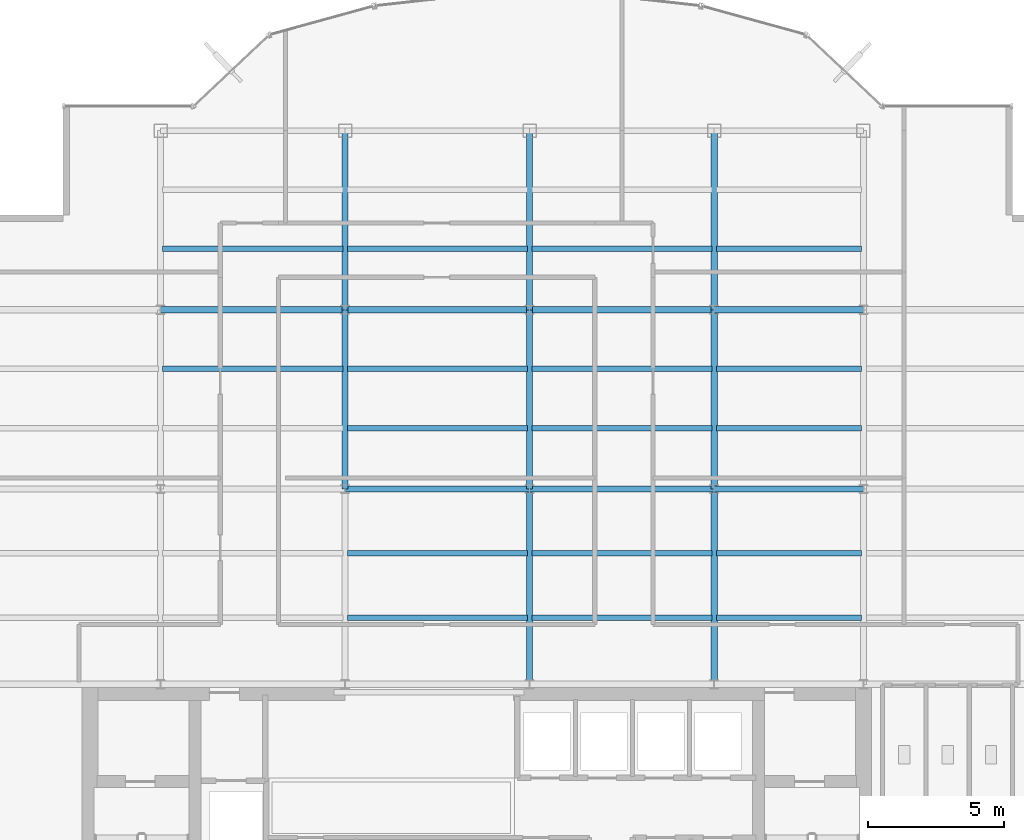
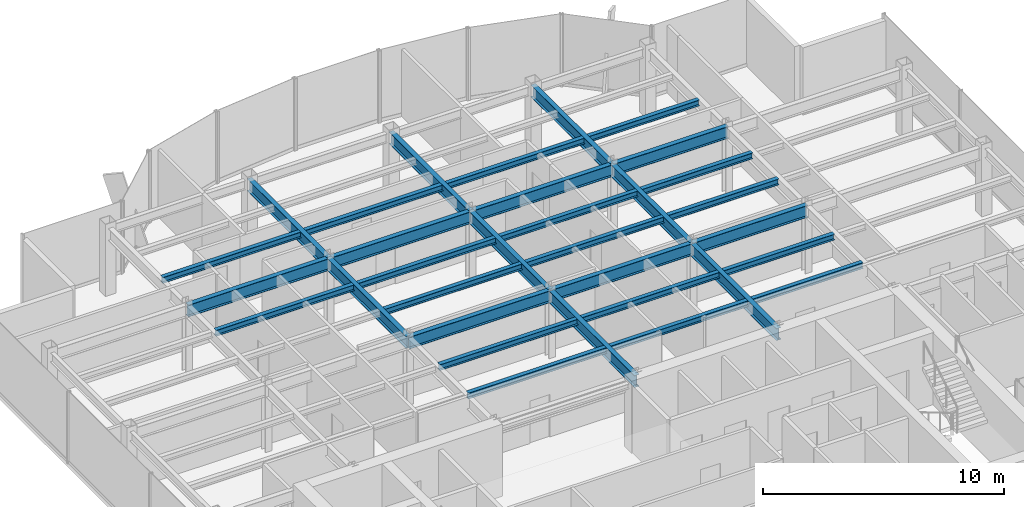
# One storey, part 8 of 22: 32 beams.
"""IFC4 building model written with IfcOpenShell, lengths in metres."""

from ifc_helpers import new_model, si_unit, derived_unit, direction, frame, origin, origin_2d, place, context, subcontext, project, spatial, i_section, extrude, source, transform, mapped, material, material_profile, profile_set, type_object, element, save


model = new_model("IFC4")

# Units and contexts
model_context = context("Model", 3, precision=1e-05, world=origin(), true_north=direction((0.0, 1.0)))
body_context = subcontext(model_context, "Body", "Model", "MODEL_VIEW")
ifc_project = project(units=[si_unit("LENGTHUNIT", "METRE"), si_unit("AREAUNIT", "SQUARE_METRE"), si_unit("VOLUMEUNIT", "CUBIC_METRE"), si_unit("PLANEANGLEUNIT", "RADIAN"), si_unit("MASSUNIT", "GRAM", prefix="KILO"), derived_unit("THERMALTRANSMITTANCEUNIT", [(si_unit("POWERUNIT", "WATT"), 1), (si_unit("LENGTHUNIT", "METRE"), -2), (si_unit("THERMODYNAMICTEMPERATUREUNIT", "KELVIN"), -1)])], contexts=[model_context])

# Site, building, storey
site_placement = place(None, origin())
site = spatial("IfcSite", under=ifc_project, at=site_placement, CompositionType="ELEMENT")
building_placement = place(site_placement, origin())
building = spatial("IfcBuilding", under=site, at=building_placement, Name="Skarnbrae Concourse Arena and Tower", CompositionType="ELEMENT")
storey_placement = place(building_placement, frame((0.0, 0.0, 255.14990234375)))
storey = spatial("IfcBuildingStorey", under=building, at=storey_placement, Name="L66", CompositionType="ELEMENT", Elevation=255.14990234375)

# Beams
ifc_material = material(Name="Steel CSA G40.21 350W", Category="steel")
ifc_material_profile_1 = material_profile(ifc_material, i_section(OverallWidth=0.22802734375, OverallDepth=0.60791015625, WebThickness=0.01123046875, FlangeThickness=0.017333984375, at=origin_2d()), Name="W610X113")
ifc_profile_set_1 = profile_set([ifc_material_profile_1], Name="Steel CSA G40.21 350W")
beam_type_1 = type_object("IfcBeamType", Name="BM-GIRD-W610X113", PredefinedType="BEAM", material=ifc_profile_set_1)
shared_shape_1 = source(origin(), body_context, "Body", "SweptSolid", [
    extrude(i_section(OverallWidth=0.22802734375, OverallDepth=0.60791015625, WebThickness=0.01123046875, FlangeThickness=0.017333984375, at=origin_2d()), origin(), (0.0, 0.0, 1.0), 6.60009765625),
])
for number, where, z_axis, x_axis, name in (
    (1, (14.39990234375, 21.199951171875, 3.09619140625), (0.0, 1.0, 0.0), (-1.0, 0.0, 0.0), "L66 Primary N-S girder X14.4-2"),
    (2, (21.199951171875, 21.199951171875, 3.09619140625), (0.0, 1.0, 0.0), (-1.0, 0.0, 0.0), "L66 Primary N-S girder X21.2-2"),
    (3, (28.0, 21.199951171875, 3.09619140625), (0.0, 1.0, 0.0), (-1.0, 0.0, 0.0), "L66 Primary N-S girder X28.0-2"),
):
    element("IfcBeam", number, at=place(storey_placement, frame(where, z_axis=z_axis, x_axis=x_axis)), inside=storey, type_object=beam_type_1, Name=name, PredefinedType="BEAM", context=body_context, shape_type="MappedRepresentation", body=[
        mapped(shared_shape_1, transform((0.0, 0.0, 0.0))),
    ])
shared_shape_2 = source(origin(), body_context, "Body", "SweptSolid", [
    extrude(i_section(OverallWidth=0.22802734375, OverallDepth=0.60791015625, WebThickness=0.01123046875, FlangeThickness=0.017333984375, at=origin_2d()), origin(), (0.0, 0.0, 1.0), 6.7998046875),
])
beam_placement = place(storey_placement, frame((7.60009765625, 27.800048828125, 3.09619140625), z_axis=(1.0, 0.0, 0.0), x_axis=(0.0, 1.0, 0.0)))
element("IfcBeam", 4, at=beam_placement, inside=storey, type_object=beam_type_1, Name="L66 Primary E-W girder Y27.8-2", PredefinedType="BEAM", context=body_context, shape_type="MappedRepresentation", body=[
    mapped(shared_shape_2, transform((0.0, 0.0, 0.0))),
])
shared_shape_3 = source(origin(), body_context, "Body", "SweptSolid", [
    extrude(i_section(OverallWidth=0.22802734375, OverallDepth=0.60791015625, WebThickness=0.01123046875, FlangeThickness=0.017333984375, at=origin_2d()), origin(), (0.0, 0.0, 1.0), 6.800048828125),
])
for number, where, z_axis, x_axis, name in (
    (5, (14.39990234375, 21.199951171875, 3.09619140625), (1.0, 0.0, 0.0), (0.0, 1.0, 0.0), "L66 Primary E-W girder Y21.2-3"),
    (6, (21.199951171875, 21.199951171875, 3.09619140625), (1.0, 0.0, 0.0), (0.0, 1.0, 0.0), "L66 Primary E-W girder Y21.2-4"),
    (7, (14.39990234375, 27.800048828125, 3.09619140625), (1.0, 0.0, 0.0), (0.0, 1.0, 0.0), "L66 Primary E-W girder Y27.8-3"),
    (8, (21.199951171875, 27.800048828125, 3.09619140625), (1.0, 0.0, 0.0), (0.0, 1.0, 0.0), "L66 Primary E-W girder Y27.8-4"),
):
    element("IfcBeam", number, at=place(storey_placement, frame(where, z_axis=z_axis, x_axis=x_axis)), inside=storey, type_object=beam_type_1, Name=name, PredefinedType="BEAM", context=body_context, shape_type="MappedRepresentation", body=[
        mapped(shared_shape_3, transform((0.0, 0.0, 0.0))),
    ])
shared_shape_4 = source(origin(), body_context, "Body", "SweptSolid", [
    extrude(i_section(OverallWidth=0.22802734375, OverallDepth=0.60791015625, WebThickness=0.01123046875, FlangeThickness=0.017333984375, at=origin_2d()), origin(), (0.0, 0.0, 1.0), 5.5),
])
for number, where, z_axis, x_axis, name in (
    (9, (28.0, 21.199951171875, 3.09619140625), (1.0, 0.0, 0.0), (0.0, 1.0, 0.0), "L66 Primary E-W girder Y21.2-5"),
    (10, (28.0, 27.800048828125, 3.09619140625), (1.0, 0.0, 0.0), (0.0, 1.0, 0.0), "L66 Primary E-W girder Y27.8-5"),
):
    element("IfcBeam", number, at=place(storey_placement, frame(where, z_axis=z_axis, x_axis=x_axis)), inside=storey, type_object=beam_type_1, Name=name, PredefinedType="BEAM", context=body_context, shape_type="MappedRepresentation", body=[
        mapped(shared_shape_4, transform((0.0, 0.0, 0.0))),
    ])
shared_shape_5 = source(origin(), body_context, "Body", "SweptSolid", [
    extrude(i_section(OverallWidth=0.22802734375, OverallDepth=0.60791015625, WebThickness=0.01123046875, FlangeThickness=0.017333984375, at=origin_2d()), origin(), (0.0, 0.0, 1.0), 7.199951171875),
])
for number, where, z_axis, x_axis, name in (
    (11, (21.199951171875, 14.0, 3.09619140625), (0.0, 1.0, 0.0), (-1.0, 0.0, 0.0), "L66 Primary N-S girder X21.2-1"),
    (12, (28.0, 14.0, 3.09619140625), (0.0, 1.0, 0.0), (-1.0, 0.0, 0.0), "L66 Primary N-S girder X28.0-1"),
):
    element("IfcBeam", number, at=place(storey_placement, frame(where, z_axis=z_axis, x_axis=x_axis)), inside=storey, type_object=beam_type_1, Name=name, PredefinedType="BEAM", context=body_context, shape_type="MappedRepresentation", body=[
        mapped(shared_shape_5, transform((0.0, 0.0, 0.0))),
    ])
shared_shape_6 = source(origin(), body_context, "Body", "SweptSolid", [
    extrude(i_section(OverallWidth=0.22802734375, OverallDepth=0.60791015625, WebThickness=0.01123046875, FlangeThickness=0.017333984375, at=origin_2d()), origin(), (0.0, 0.0, 1.0), 6.599853515625),
])
for number, where, z_axis, x_axis, name in (
    (13, (14.39990234375, 27.800048828125, 3.09619140625), (0.0, 1.0, 0.0), (-1.0, 0.0, 0.0), "L66 Primary N-S girder X14.4-3"),
    (14, (21.199951171875, 27.800048828125, 3.09619140625), (0.0, 1.0, 0.0), (-1.0, 0.0, 0.0), "L66 Primary N-S girder X21.2-3"),
    (15, (28.0, 27.800048828125, 3.09619140625), (0.0, 1.0, 0.0), (-1.0, 0.0, 0.0), "L66 Primary N-S girder X28.0-3"),
):
    element("IfcBeam", number, at=place(storey_placement, frame(where, z_axis=z_axis, x_axis=x_axis)), inside=storey, type_object=beam_type_1, Name=name, PredefinedType="BEAM", context=body_context, shape_type="MappedRepresentation", body=[
        mapped(shared_shape_6, transform((0.0, 0.0, 0.0))),
    ])
ifc_material_profile_2 = material_profile(ifc_material, i_section(OverallWidth=0.202880859375, OverallDepth=0.302978515625, WebThickness=0.007568359375, FlangeThickness=0.01318359375, at=origin_2d()), Name="W310X60")
ifc_profile_set_2 = profile_set([ifc_material_profile_2], Name="Steel CSA G40.21 350W")
beam_type_2 = type_object("IfcBeamType", Name="BM-JOIST-W310X60", PredefinedType="JOIST", material=ifc_profile_set_2)
shared_shape_7 = source(origin(), body_context, "Body", "SweptSolid", [
    extrude(i_section(OverallWidth=0.202880859375, OverallDepth=0.302978515625, WebThickness=0.007568359375, FlangeThickness=0.01318359375, at=origin_2d()), origin(), (0.0, 0.0, 1.0), 6.64013671875),
])
for number, where, z_axis, x_axis, name in (
    (16, (14.47998046875, 16.447998046875, 3.24853515625), (1.0, 0.0, 0.0), (0.0, 1.0, 0.0), "L66 Secondary floor joist 1.1.3"),
    (17, (14.47998046875, 18.823974609375, 3.24853515625), (1.0, 0.0, 0.0), (0.0, 1.0, 0.0), "L66 Secondary floor joist 1.2.3"),
    (18, (14.47998046875, 23.444091796875, 3.24853515625), (1.0, 0.0, 0.0), (0.0, 1.0, 0.0), "L66 Secondary floor joist 2.1.3"),
    (19, (7.679931640625, 25.6220703125, 3.24853515625), (1.0, 0.0, 0.0), (0.0, 1.0, 0.0), "L66 Secondary floor joist 2.2.2"),
    (20, (14.47998046875, 25.6220703125, 3.24853515625), (1.0, 0.0, 0.0), (0.0, 1.0, 0.0), "L66 Secondary floor joist 2.2.3"),
    (21, (7.679931640625, 30.0439453125, 3.24853515625), (1.0, 0.0, 0.0), (0.0, 1.0, 0.0), "L66 Secondary floor joist 3.1.1"),
    (22, (14.47998046875, 30.0439453125, 3.24853515625), (1.0, 0.0, 0.0), (0.0, 1.0, 0.0), "L66 Secondary floor joist 3.1.2"),
):
    element("IfcBeam", number, at=place(storey_placement, frame(where, z_axis=z_axis, x_axis=x_axis)), inside=storey, type_object=beam_type_2, Name=name, PredefinedType="JOIST", context=body_context, shape_type="MappedRepresentation", body=[
        mapped(shared_shape_7, transform((0.0, 0.0, 0.0))),
    ])
shared_shape_8 = source(origin(), body_context, "Body", "SweptSolid", [
    extrude(i_section(OverallWidth=0.202880859375, OverallDepth=0.302978515625, WebThickness=0.007568359375, FlangeThickness=0.01318359375, at=origin_2d()), origin(), (0.0, 0.0, 1.0), 6.639892578125),
])
for number, where, z_axis, x_axis, name in (
    (23, (21.280029296875, 16.447998046875, 3.24853515625), (1.0, 0.0, 0.0), (0.0, 1.0, 0.0), "L66 Secondary floor joist 1.1.4"),
    (24, (21.280029296875, 18.823974609375, 3.24853515625), (1.0, 0.0, 0.0), (0.0, 1.0, 0.0), "L66 Secondary floor joist 1.2.4"),
    (25, (21.280029296875, 23.444091796875, 3.24853515625), (1.0, 0.0, 0.0), (0.0, 1.0, 0.0), "L66 Secondary floor joist 2.1.4"),
    (26, (21.280029296875, 25.6220703125, 3.24853515625), (1.0, 0.0, 0.0), (0.0, 1.0, 0.0), "L66 Secondary floor joist 2.2.4"),
    (27, (21.280029296875, 30.0439453125, 3.24853515625), (1.0, 0.0, 0.0), (0.0, 1.0, 0.0), "L66 Secondary floor joist 3.1.3"),
):
    element("IfcBeam", number, at=place(storey_placement, frame(where, z_axis=z_axis, x_axis=x_axis)), inside=storey, type_object=beam_type_2, Name=name, PredefinedType="JOIST", context=body_context, shape_type="MappedRepresentation", body=[
        mapped(shared_shape_8, transform((0.0, 0.0, 0.0))),
    ])
shared_shape_9 = source(origin(), body_context, "Body", "SweptSolid", [
    extrude(i_section(OverallWidth=0.202880859375, OverallDepth=0.302978515625, WebThickness=0.007568359375, FlangeThickness=0.01318359375, at=origin_2d()), origin(), (0.0, 0.0, 1.0), 5.33984375),
])
for number, where, z_axis, x_axis, name in (
    (28, (28.080078125, 16.447998046875, 3.24853515625), (1.0, 0.0, 0.0), (0.0, 1.0, 0.0), "L66 Secondary floor joist 1.1.5"),
    (29, (28.080078125, 18.823974609375, 3.24853515625), (1.0, 0.0, 0.0), (0.0, 1.0, 0.0), "L66 Secondary floor joist 1.2.5"),
    (30, (28.080078125, 23.444091796875, 3.24853515625), (1.0, 0.0, 0.0), (0.0, 1.0, 0.0), "L66 Secondary floor joist 2.1.5"),
    (31, (28.080078125, 25.6220703125, 3.24853515625), (1.0, 0.0, 0.0), (0.0, 1.0, 0.0), "L66 Secondary floor joist 2.2.5"),
    (32, (28.080078125, 30.0439453125, 3.24853515625), (1.0, 0.0, 0.0), (0.0, 1.0, 0.0), "L66 Secondary floor joist 3.1.4"),
):
    element("IfcBeam", number, at=place(storey_placement, frame(where, z_axis=z_axis, x_axis=x_axis)), inside=storey, type_object=beam_type_2, Name=name, PredefinedType="JOIST", context=body_context, shape_type="MappedRepresentation", body=[
        mapped(shared_shape_9, transform((0.0, 0.0, 0.0))),
    ])

save(model, "model.ifc")
